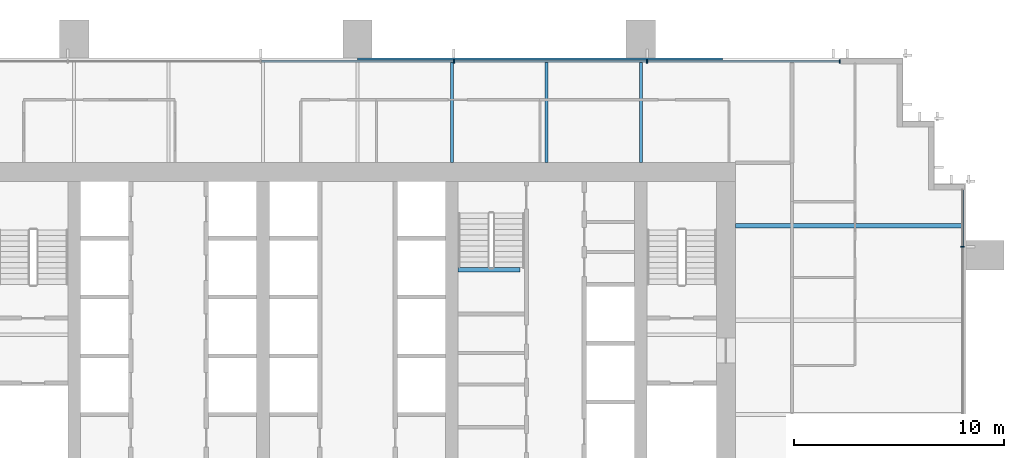
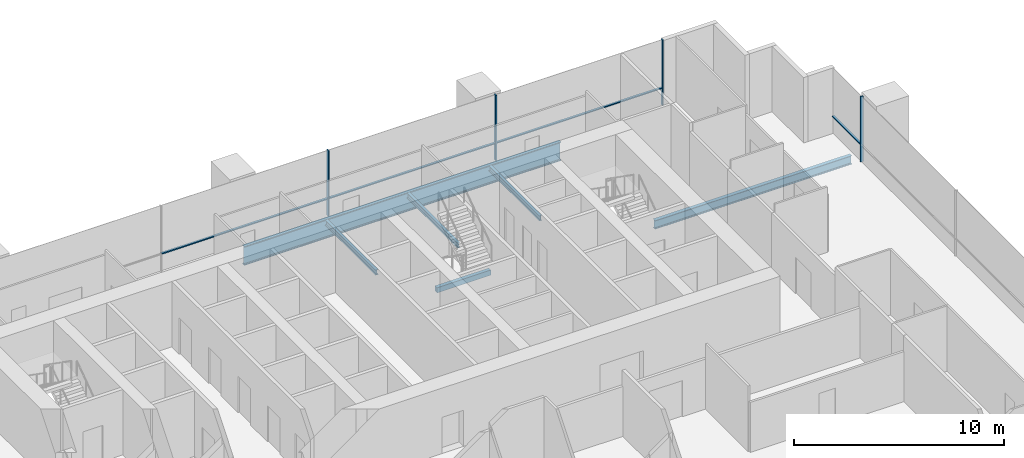
# One storey, part 8 of 16: 8 members, 6 beams, 2 elements without a shape of their own.
"""IFC4 building model written with IfcOpenShell, lengths in metres."""

from ifc_helpers import new_model, si_unit, direction, frame, origin, origin_2d, place, context, subcontext, project, spatial, rectangle, i_section, extrude, material, material_profile, profile_set, type_object, element, aggregate, save


model = new_model("IFC4")

# Units and contexts
model_context = context("Model", 3, precision=1e-05, world=origin(), true_north=direction((0.0, 1.0)))
body_context = subcontext(model_context, "Body", "Model", "MODEL_VIEW")
ifc_project = project(units=[si_unit("LENGTHUNIT", "METRE"), si_unit("AREAUNIT", "SQUARE_METRE"), si_unit("VOLUMEUNIT", "CUBIC_METRE"), si_unit("PLANEANGLEUNIT", "RADIAN"), si_unit("MASSUNIT", "GRAM", prefix="KILO")], contexts=[model_context])

# Site, building, storey
site_placement = place(None, origin())
site = spatial("IfcSite", under=ifc_project, at=site_placement, CompositionType="ELEMENT")
building_placement = place(site_placement, origin())
building = spatial("IfcBuilding", under=site, at=building_placement, Name="Rattan Terrace Tower", CompositionType="ELEMENT")
storey_placement = place(building_placement, frame((0.0, 0.0, 130.10009765625)))
storey = spatial("IfcBuildingStorey", under=building, at=storey_placement, Name="L29", CompositionType="ELEMENT", Elevation=130.10009765625)

# Beam
ifc_material_1 = material(Name="Concrete C40/50", Category="concrete")
ifc_material_profile_1 = material_profile(ifc_material_1, rectangle(XDim=0.199951171875, YDim=0.300048828125, at=origin_2d()), Name="RC 200x300")
ifc_profile_set_1 = profile_set([ifc_material_profile_1], Name="Concrete C40/50")
beam_type_1 = type_object("IfcBeamType", Name="Core landing beam RC 200x300", PredefinedType="BEAM", material=ifc_profile_set_1)
beam_1_placement = place(storey_placement, frame((4.800048828125, 2.39990234375, 1.64990234375), z_axis=(1.0, 0.0, 0.0), x_axis=(0.0, 1.0, 0.0)))
element("IfcBeam", 1, at=beam_1_placement, inside=storey, type_object=beam_type_1, Name="st-S3-L29 landing 1 edge beam", PredefinedType="BEAM", context=body_context, shape_type="SweptSolid", body=[
    extrude(rectangle(XDim=0.199951171875, YDim=0.300048828125, at=origin_2d()), origin(), (0.0, 0.0, 1.0), 2.949951171875),
])

# Curtain wall, member
ifc_material_2 = material(Name="Aluminium and glass", Category="aluminium")
curtain_wall_type = type_object("IfcCurtainWallType", Name="Facade Unitised Curtain Wall", PredefinedType="NOTDEFINED", material=ifc_material_2)
curtain_wall_1_placement = place(storey_placement, origin())
curtain_wall_1 = element("IfcCurtainWall", 2, at=curtain_wall_1_placement, inside=storey, type_object=curtain_wall_type, Name="Curtain wall L29-1", PredefinedType="NOTDEFINED")
ifc_material_3 = material(Name="Aluminium", Category="aluminium")
ifc_material_profile_2 = material_profile(ifc_material_3, rectangle(XDim=0.06005859375, YDim=0.159912109375, at=origin_2d()), Name="Aluminium 60x160")
ifc_profile_set_2 = profile_set([ifc_material_profile_2], Name="Aluminium")
member_type_1 = type_object("IfcMemberType", Name="Facade CW Mullion 60x160", PredefinedType="MULLION", material=ifc_profile_set_2)
member_1_placement = place(storey_placement, frame((28.830078125, 3.5, 0.0), z_axis=(0.0, 0.0, 1.0), x_axis=(0.0, 1.0, 0.0)))
member_1 = element("IfcMember", 3, at=member_1_placement, type_object=member_type_1, Name="Mullion cwl-L29-001.4", PredefinedType="MULLION", context=body_context, shape_type="SweptSolid", body=[
    extrude(rectangle(XDim=0.06005859375, YDim=0.159912109375, at=origin_2d()), origin(), (0.0, 0.0, 1.0), 3.7998046875),
])

# Curtain wall, members
curtain_wall_2_placement = place(storey_placement, origin())
curtain_wall_2 = element("IfcCurtainWall", 4, at=curtain_wall_2_placement, inside=storey, type_object=curtain_wall_type, Name="Curtain wall L29-2", PredefinedType="NOTDEFINED")
member_2_placement = place(storey_placement, frame((22.969970703125, 12.330078125, 0.0), z_axis=(0.0, 0.0, 1.0), x_axis=(-1.0, 0.0, 0.0)))
member_2 = element("IfcMember", 5, at=member_2_placement, type_object=member_type_1, Name="Mullion cwl-L29-002.1", PredefinedType="MULLION", context=body_context, shape_type="SweptSolid", body=[
    extrude(rectangle(XDim=0.06005859375, YDim=0.159912109375, at=origin_2d()), origin(), (0.0, 0.0, 1.0), 3.7998046875),
])
member_3_placement = place(storey_placement, frame((13.799072265625, 12.330078125, 0.0), z_axis=(0.0, 0.0, 1.0), x_axis=(-1.0, 0.0, 0.0)))
member_3 = element("IfcMember", 6, at=member_3_placement, type_object=member_type_1, Name="Mullion cwl-L29-002.2", PredefinedType="MULLION", context=body_context, shape_type="SweptSolid", body=[
    extrude(rectangle(XDim=0.06005859375, YDim=0.159912109375, at=origin_2d()), origin(), (0.0, 0.0, 1.0), 3.7998046875),
])
member_4_placement = place(storey_placement, frame((4.597900390625, 12.330078125, 0.0), z_axis=(0.0, 0.0, 1.0), x_axis=(-1.0, 0.0, 0.0)))
member_4 = element("IfcMember", 7, at=member_4_placement, type_object=member_type_1, Name="Mullion cwl-L29-002.3", PredefinedType="MULLION", context=body_context, shape_type="SweptSolid", body=[
    extrude(rectangle(XDim=0.06005859375, YDim=0.159912109375, at=origin_2d()), origin(), (0.0, 0.0, 1.0), 3.7998046875),
])

# Member
ifc_material_4 = material(Name="Aluminium", Category="aluminium")
ifc_material_profile_3 = material_profile(ifc_material_4, rectangle(XDim=0.1201171875, YDim=0.06005859375, at=origin_2d()), Name="Aluminium 120x60")
ifc_profile_set_3 = profile_set([ifc_material_profile_3], Name="Aluminium")
member_type_2 = type_object("IfcMemberType", Name="Facade CW Transom 120x60", PredefinedType="USERDEFINED", material=ifc_profile_set_3)
member_5_placement = place(storey_placement, frame((28.830078125, 3.530029296875, 1.0), z_axis=(0.0, 1.0, 0.0), x_axis=(-1.0, 0.0, 0.0)))
member_5 = element("IfcMember", 8, at=member_5_placement, type_object=member_type_2, Name="Transom cwl-L29-001.4", ObjectType="TRANSOM", PredefinedType="USERDEFINED", context=body_context, shape_type="SweptSolid", body=[
    extrude(rectangle(XDim=0.1201171875, YDim=0.06005859375, at=origin_2d()), origin(), (0.0, 0.0, 1.0), 2.675048828125),
])

aggregate(curtain_wall_1, [member_1, member_5])

member_6_placement = place(storey_placement, frame((22.93994140625, 12.330078125, 1.0), z_axis=(-1.0, 0.0, 0.0), x_axis=(0.0, -1.0, 0.0)))
member_6 = element("IfcMember", 9, at=member_6_placement, type_object=member_type_2, Name="Transom cwl-L29-002.1", ObjectType="TRANSOM", PredefinedType="USERDEFINED", context=body_context, shape_type="SweptSolid", body=[
    extrude(rectangle(XDim=0.1201171875, YDim=0.06005859375, at=origin_2d()), origin(), (0.0, 0.0, 1.0), 9.11083984375),
])

member_7_placement = place(storey_placement, frame((13.76904296875, 12.330078125, 1.0), z_axis=(-1.0, 0.0, 0.0), x_axis=(0.0, -1.0, 0.0)))
member_7 = element("IfcMember", 10, at=member_7_placement, type_object=member_type_2, Name="Transom cwl-L29-002.2", ObjectType="TRANSOM", PredefinedType="USERDEFINED", context=body_context, shape_type="SweptSolid", body=[
    extrude(rectangle(XDim=0.1201171875, YDim=0.06005859375, at=origin_2d()), origin(), (0.0, 0.0, 1.0), 9.14111328125),
])

member_8_placement = place(storey_placement, frame((4.568115234375, 12.330078125, 1.0), z_axis=(-1.0, 0.0, 0.0), x_axis=(0.0, -1.0, 0.0)))
member_8 = element("IfcMember", 11, at=member_8_placement, type_object=member_type_2, Name="Transom cwl-L29-002.3", ObjectType="TRANSOM", PredefinedType="USERDEFINED", context=body_context, shape_type="SweptSolid", body=[
    extrude(rectangle(XDim=0.1201171875, YDim=0.06005859375, at=origin_2d()), origin(), (0.0, 0.0, 1.0), 9.14111328125),
])

aggregate(curtain_wall_2, [member_2, member_3, member_4, member_6, member_7, member_8])

# Beams
ifc_material_5 = material(Name="Steel S460", Category="steel")
ifc_material_profile_4 = material_profile(ifc_material_5, i_section(OverallWidth=0.179931640625, OverallDepth=1.10009765625, WebThickness=0.01611328125, FlangeThickness=0.050048828125, at=origin_2d()), Name="PG 1100x180-16-50")
ifc_profile_set_4 = profile_set([ifc_material_profile_4], Name="Steel S460")
beam_type_2 = type_object("IfcBeamType", Name="Frame edge girder PG 1100x180-16-50", PredefinedType="SPANDREL", material=ifc_profile_set_4)
beam_2_placement = place(storey_placement, frame((17.39990234375, 12.409912109375, -0.75), z_axis=(-1.0, 0.0, 0.0), x_axis=(0.0, -1.0, 0.0)))
element("IfcBeam", 12, at=beam_2_placement, inside=storey, type_object=beam_type_2, Name="gdr-L29-006", PredefinedType="SPANDREL", context=body_context, shape_type="SweptSolid", body=[
    extrude(i_section(OverallWidth=0.179931640625, OverallDepth=1.10009765625, WebThickness=0.01611328125, FlangeThickness=0.050048828125, at=origin_2d()), origin(), (0.0, 0.0, 1.0), 17.39990234375),
])
ifc_material_6 = material(Name="Steel S355", Category="steel")
ifc_material_profile_5 = material_profile(ifc_material_6, i_section(OverallWidth=0.14990234375, OverallDepth=0.300048828125, WebThickness=0.007080078125, FlangeThickness=0.0107421875, FilletRadius=0.014892578125, at=origin_2d()), Name="IPE 300")
ifc_profile_set_5 = profile_set([ifc_material_profile_5], Name="Steel S355")
beam_type_3 = type_object("IfcBeamType", Name="Frame floor beam IPE 300", PredefinedType="JOIST", material=ifc_profile_set_5)
for number, where, z_axis, x_axis, name in (
    (13, (4.5, 7.5, -0.35009765625), (0.0, 1.0, 0.0), (-1.0, 0.0, 0.0), "bm-L29-020"),
    (14, (9.0, 7.5, -0.35009765625), (0.0, 1.0, 0.0), (-1.0, 0.0, 0.0), "bm-L29-021"),
    (15, (13.5, 7.5, -0.35009765625), (0.0, 1.0, 0.0), (-1.0, 0.0, 0.0), "bm-L29-022"),
):
    element("IfcBeam", number, at=place(storey_placement, frame(where, z_axis=z_axis, x_axis=x_axis)), inside=storey, type_object=beam_type_3, Name=name, PredefinedType="JOIST", context=body_context, shape_type="SweptSolid", body=[
        extrude(i_section(OverallWidth=0.14990234375, OverallDepth=0.300048828125, WebThickness=0.007080078125, FlangeThickness=0.0107421875, FilletRadius=0.014892578125, at=origin_2d()), origin(), (0.0, 0.0, 1.0), 4.820068359375),
    ])
ifc_material_7 = material(Name="Steel S355", Category="steel")
ifc_material_profile_6 = material_profile(ifc_material_7, i_section(OverallWidth=0.199951171875, OverallDepth=0.5, WebThickness=0.01025390625, FlangeThickness=0.01611328125, FilletRadius=0.02099609375, at=origin_2d()), Name="IPE 500")
ifc_profile_set_6 = profile_set([ifc_material_profile_6], Name="Steel S355")
beam_type_4 = type_object("IfcBeamType", Name="Frame floor beam IPE 500", PredefinedType="JOIST", material=ifc_profile_set_6)
beam_3_placement = place(storey_placement, frame((18.0, 4.5, -0.4501953125), z_axis=(1.0, 0.0, 0.0), x_axis=(0.0, 1.0, 0.0)))
element("IfcBeam", 16, at=beam_3_placement, inside=storey, type_object=beam_type_4, Name="bm-L29-015", PredefinedType="JOIST", context=body_context, shape_type="SweptSolid", body=[
    extrude(i_section(OverallWidth=0.199951171875, OverallDepth=0.5, WebThickness=0.01025390625, FlangeThickness=0.01611328125, FilletRadius=0.02099609375, at=origin_2d()), origin(), (0.0, 0.0, 1.0), 10.820068359375),
])

save(model, "model.ifc")
